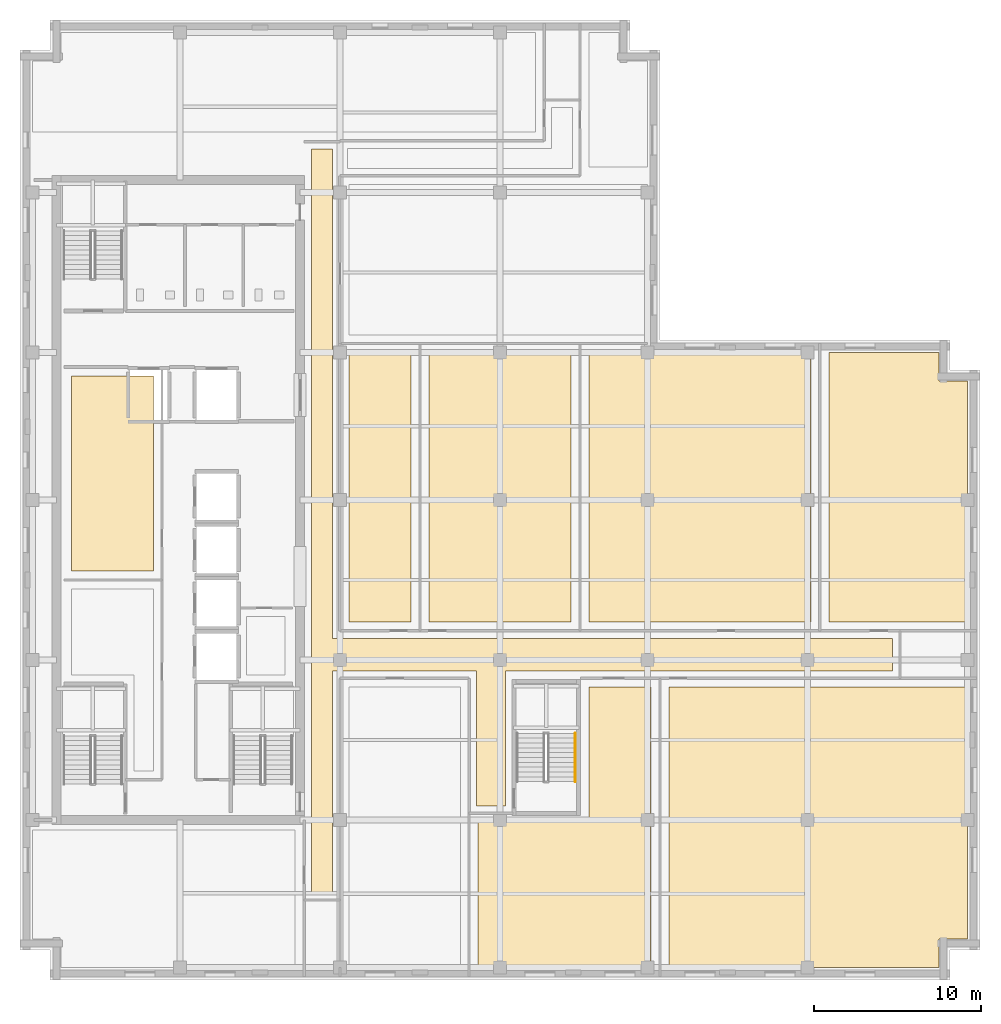
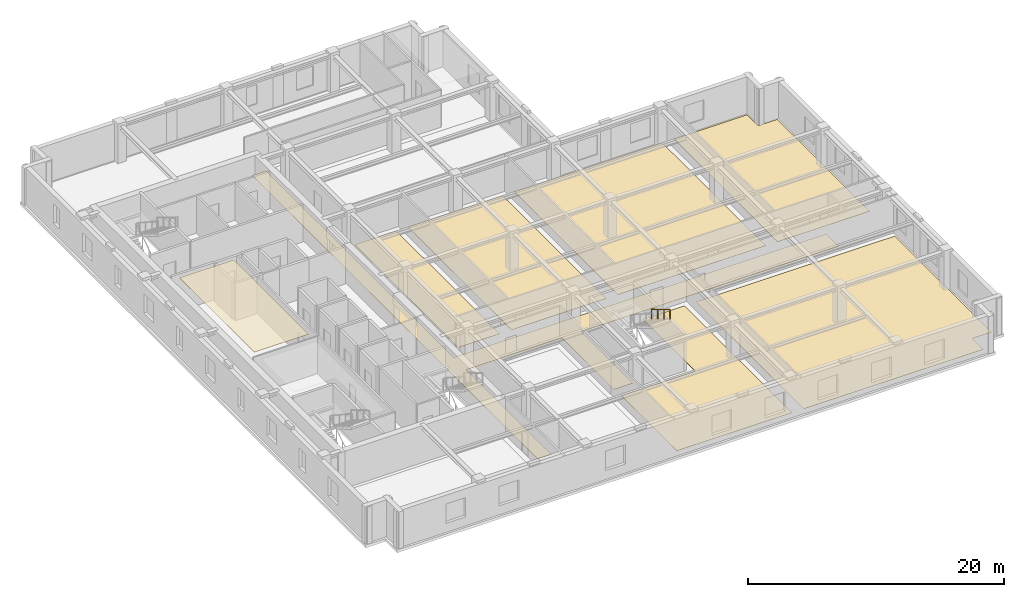
# One storey, part 8 of 10: 8 coverings, 1 railing.
"""IFC4 building model written with IfcOpenShell, lengths in metres."""

from ifc_helpers import new_model, si_unit, direction, frame, origin, origin_2d, place, context, subcontext, project, spatial, polyline, circle, outline, extrude, material, layer, layer_set, type_object, element, save


model = new_model("IFC4")

# Units and contexts
model_context = context("Model", 3, precision=1e-05, world=origin(), true_north=direction((0.0, 1.0)))
body_context = subcontext(model_context, "Body", "Model", "MODEL_VIEW")
ifc_project = project(units=[si_unit("LENGTHUNIT", "METRE"), si_unit("AREAUNIT", "SQUARE_METRE"), si_unit("VOLUMEUNIT", "CUBIC_METRE"), si_unit("PLANEANGLEUNIT", "RADIAN"), si_unit("MASSUNIT", "GRAM", prefix="KILO")], contexts=[model_context])

# Site, building, storey
site_placement = place(None, origin())
site = spatial("IfcSite", under=ifc_project, at=site_placement, CompositionType="ELEMENT")
building_placement = place(site_placement, origin())
building = spatial("IfcBuilding", under=site, at=building_placement, Name="Norrvale University Quadrangle", CompositionType="ELEMENT")
storey_placement = place(building_placement, frame((0.0, 0.0, 233.199951171875)))
storey = spatial("IfcBuildingStorey", under=building, at=storey_placement, Name="L59", CompositionType="ELEMENT", Elevation=233.199951171875)

# Coverings
ifc_material_1 = material(Name="Perforated Acoustic Mineral Ceiling")
ifc_layer_1 = layer(ifc_material_1, 0.02490234375, Name="Perforated Acoustic Mineral Ceiling")
ifc_layer_set_1 = layer_set([ifc_layer_1], Name="Perforated Acoustic Mineral Ceiling")
covering_type_1 = type_object("IfcCoveringType", Name="Covering Acoustic Ceiling 25", PredefinedType="CEILING", material=ifc_layer_set_1)
covering_1_placement = place(storey_placement, frame((0.0, 0.0, 3.51513671875)))
element("IfcCovering", 1, at=covering_1_placement, inside=storey, type_object=covering_type_1, Name="Acoustic Ceiling RM-L59-REC2", PredefinedType="CEILING", context=body_context, shape_type="SweptSolid", body=[
    extrude(outline(polyline([(3.10009765625, 24.550048828125), (3.10009765625, 36.25), (8.0, 36.25), (8.0, 24.550048828125), (3.10009765625, 24.550048828125)])), origin(), (0.0, 0.0, 1.0), 0.02490234375),
])
ifc_material_2 = material(Name="Polished Terrazzo Flooring")
ifc_layer_2 = layer(ifc_material_2, 0.02490234375, Name="Polished Terrazzo Flooring")
ifc_layer_set_2 = layer_set([ifc_layer_2], Name="Polished Terrazzo Flooring")
covering_type_2 = type_object("IfcCoveringType", Name="Covering Terrazzo Floor 30", PredefinedType="FLOORING", material=ifc_layer_set_2)
covering_2_placement = place(storey_placement, origin())
element("IfcCovering", 2, at=covering_2_placement, inside=storey, type_object=covering_type_2, Name="Terrazzo Flooring RM-L59-CORR1", PredefinedType="FLOORING", context=body_context, shape_type="SweptSolid", body=[
    extrude(outline(polyline([(17.5, 5.25), (17.5, 49.85009765625), (18.75, 49.85009765625), (18.75, 20.5), (52.35009765625, 20.5), (52.35009765625, 18.550048828125), (29.1298828125, 18.550048828125), (29.1298828125, 10.449951171875), (27.39990234375, 10.449951171875), (27.39990234375, 18.550048828125), (18.75, 18.550048828125), (18.75, 5.25), (17.5, 5.25)])), origin(), (0.0, 0.0, 1.0), 0.025146484375),
])
covering_3_placement = place(storey_placement, origin())
element("IfcCovering", 3, at=covering_3_placement, inside=storey, type_object=covering_type_2, Name="Terrazzo Flooring RM-L59-SE2", PredefinedType="FLOORING", context=body_context, shape_type="SweptSolid", body=[
    extrude(outline(polyline([(27.47998046875, 9.449951171875), (34.14990234375, 9.449951171875), (34.14990234375, 17.570068359375), (37.8701171875, 17.570068359375), (37.8701171875, 0.75), (27.47998046875, 0.75), (27.47998046875, 9.449951171875)])), origin(), (0.0, 0.0, 1.0), 0.025146484375),
])
covering_4_placement = place(storey_placement, origin())
element("IfcCovering", 4, at=covering_4_placement, inside=storey, type_object=covering_type_2, Name="Terrazzo Flooring RM-L59-SE3", PredefinedType="FLOORING", context=body_context, shape_type="SweptSolid", body=[
    extrude(outline(polyline([(38.929931640625, 0.75), (38.929931640625, 17.570068359375), (56.85009765625, 17.570068359375), (56.85009765625, 2.469970703125), (55.1298828125, 2.469970703125), (55.1298828125, 0.75), (38.929931640625, 0.75)])), origin(), (0.0, 0.0, 1.0), 0.025146484375),
])
covering_5_placement = place(storey_placement, origin())
element("IfcCovering", 5, at=covering_5_placement, inside=storey, type_object=covering_type_2, Name="Terrazzo Flooring RM-L59-ME01", PredefinedType="FLOORING", context=body_context, shape_type="SweptSolid", body=[
    extrude(outline(polyline([(19.72998046875, 37.64990234375), (23.469970703125, 37.64990234375), (23.469970703125, 21.47998046875), (19.72998046875, 21.47998046875), (19.72998046875, 37.64990234375)])), origin(), (0.0, 0.0, 1.0), 0.025146484375),
])
covering_6_placement = place(storey_placement, origin())
element("IfcCovering", 6, at=covering_6_placement, inside=storey, type_object=covering_type_2, Name="Terrazzo Flooring RM-L59-ME02", PredefinedType="FLOORING", context=body_context, shape_type="SweptSolid", body=[
    extrude(outline(polyline([(24.530029296875, 37.64990234375), (33.070068359375, 37.64990234375), (33.070068359375, 21.47998046875), (24.530029296875, 21.47998046875), (24.530029296875, 37.64990234375)])), origin(), (0.0, 0.0, 1.0), 0.025146484375),
])
covering_7_placement = place(storey_placement, origin())
element("IfcCovering", 7, at=covering_7_placement, inside=storey, type_object=covering_type_2, Name="Terrazzo Flooring RM-L59-ME03", PredefinedType="FLOORING", context=body_context, shape_type="SweptSolid", body=[
    extrude(outline(polyline([(34.1298828125, 37.64990234375), (47.469970703125, 37.64990234375), (47.469970703125, 21.47998046875), (34.1298828125, 21.47998046875), (34.1298828125, 37.64990234375)])), origin(), (0.0, 0.0, 1.0), 0.025146484375),
])
covering_8_placement = place(storey_placement, origin())
element("IfcCovering", 8, at=covering_8_placement, inside=storey, type_object=covering_type_2, Name="Terrazzo Flooring RM-L59-ME04", PredefinedType="FLOORING", context=body_context, shape_type="SweptSolid", body=[
    extrude(outline(polyline([(56.85009765625, 21.47998046875), (48.530029296875, 21.47998046875), (48.530029296875, 37.64990234375), (55.1298828125, 37.64990234375), (55.1298828125, 35.929931640625), (56.85009765625, 35.929931640625), (56.85009765625, 21.47998046875)])), origin(), (0.0, 0.0, 1.0), 0.025146484375),
])

# Railing
ifc_material_3 = material(Name="Stainless Steel 316L Handrail", Category="steel")
railing_type = type_object("IfcRailingType", Name="Railing Stair Handrail 920", PredefinedType="HANDRAIL", material=ifc_material_3)
railing_placement = place(storey_placement, frame((33.31005859375, 14.800048828125, 2.07275390625)))
element("IfcRailing", 9, at=railing_placement, inside=storey, type_object=railing_type, Name="Stair Upper Flight Handrail ST-04 L59", PredefinedType="HANDRAIL", context=body_context, shape_type="SweptSolid", body=[
    extrude(circle(Radius=0.02392578125, at=origin_2d()), frame((0.0, 0.0, 0.89599609375), z_axis=(0.0, -0.859160404282, 0.51170636083), x_axis=(1.0, 0.0, 0.0)), (0.0, 0.0, 1.0), 3.37548828125),
    extrude(circle(Radius=0.02099609375, at=origin_2d()), origin(), (0.0, 0.0, 1.0), 0.871826171875),
    extrude(circle(Radius=0.02099609375, at=origin_2d()), frame((0.0, -0.966796875, 0.57568359375)), (0.0, 0.0, 1.0), 0.871826171875),
    extrude(circle(Radius=0.02099609375, at=origin_2d()), frame((0.0, -1.933349609375, 1.151611328125)), (0.0, 0.0, 1.0), 0.871826171875),
    extrude(circle(Radius=0.02099609375, at=origin_2d()), frame((0.0, -2.900146484375, 1.727294921875)), (0.0, 0.0, 1.0), 0.871826171875),
])

save(model, "model.ifc")
